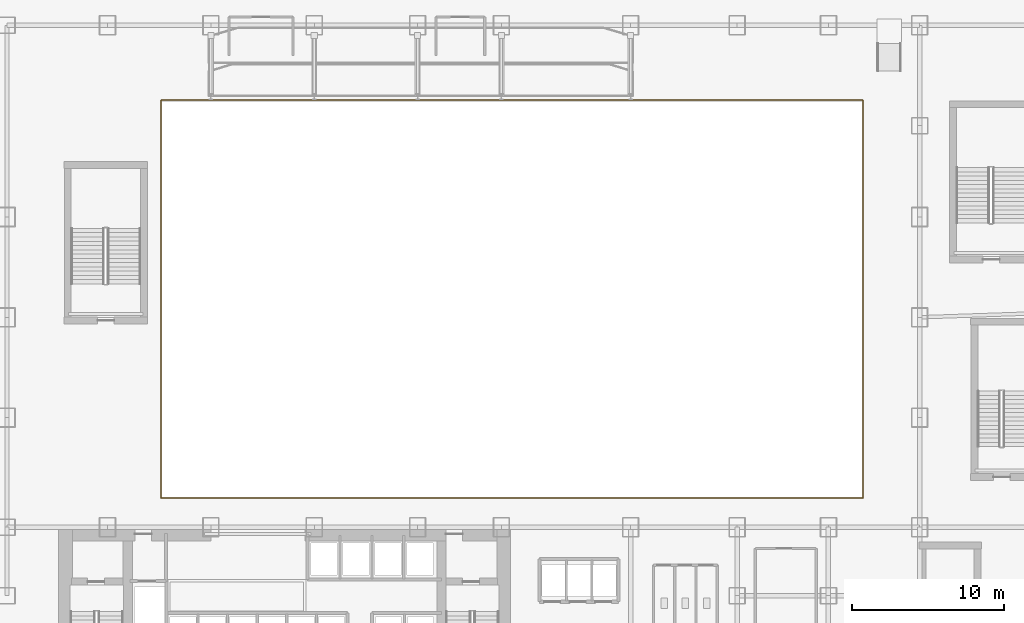
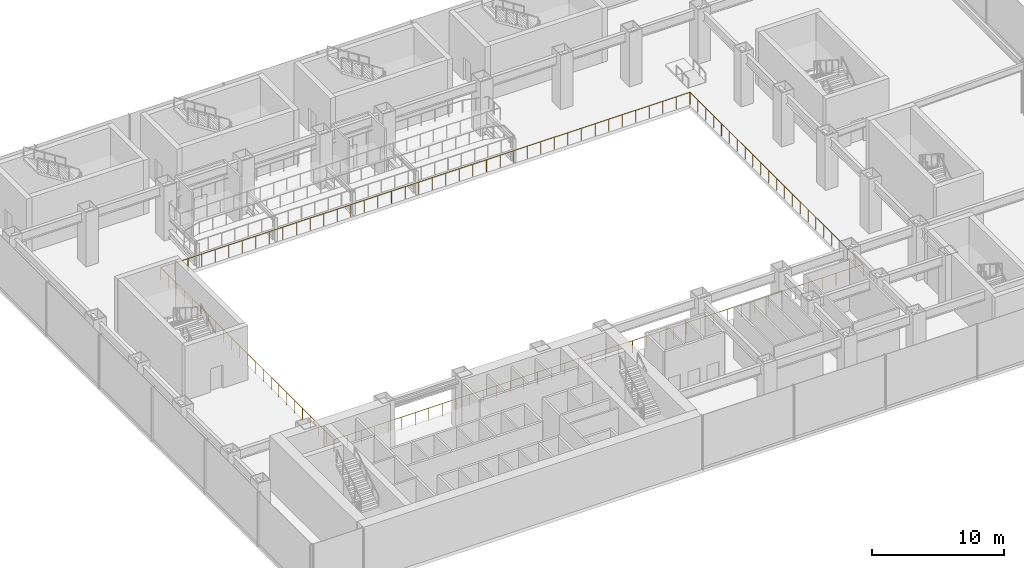
# One storey, part 34 of 39: 1 railing.
"""IFC4 building model written with IfcOpenShell, lengths in metres."""

from ifc_helpers import new_model, si_unit, derived_unit, direction, frame, origin, origin_2d, place, context, subcontext, project, spatial, circle, extrude, material, type_object, element, save


model = new_model("IFC4")

# Units and contexts
model_context = context("Model", 3, precision=1e-05, world=origin(), true_north=direction((0.0, 1.0)))
body_context = subcontext(model_context, "Body", "Model", "MODEL_VIEW")
ifc_project = project(units=[si_unit("LENGTHUNIT", "METRE"), si_unit("AREAUNIT", "SQUARE_METRE"), si_unit("VOLUMEUNIT", "CUBIC_METRE"), si_unit("PLANEANGLEUNIT", "RADIAN"), si_unit("MASSUNIT", "GRAM", prefix="KILO"), derived_unit("THERMALTRANSMITTANCEUNIT", [(si_unit("POWERUNIT", "WATT"), 1), (si_unit("LENGTHUNIT", "METRE"), -2), (si_unit("THERMODYNAMICTEMPERATUREUNIT", "KELVIN"), -1)])], contexts=[model_context])

# Site, building, storey
site_placement = place(None, origin())
site = spatial("IfcSite", under=ifc_project, at=site_placement, CompositionType="ELEMENT")
building_placement = place(site_placement, origin())
building = spatial("IfcBuilding", under=site, at=building_placement, Name="Skarnbrae Concourse Arena and Tower", CompositionType="ELEMENT")
storey_placement = place(building_placement, frame((0.0, 0.0, 16.0)))
storey = spatial("IfcBuildingStorey", under=building, at=storey_placement, Name="L03", CompositionType="ELEMENT", Elevation=16.0)

# Railing
ifc_material = material(Name="Steel CSA G40.21 350W", Category="steel")
railing_type = type_object("IfcRailingType", Name="RAIL-GUARD-1150", PredefinedType="GUARDRAIL", material=ifc_material)
railing_placement = place(storey_placement, frame((11.1201171875, 15.919921875, 0.0)))
element("IfcRailing", 1, at=railing_placement, inside=storey, type_object=railing_type, Name="L03 Arena bowl concourse overlook guardrail", PredefinedType="GUARDRAIL", context=body_context, shape_type="SweptSolid", body=[
    extrude(circle(Radius=0.02392578125, at=origin_2d()), frame((0.0, 0.0, 1.1259765625), z_axis=(1.0, 0.0, 0.0), x_axis=(0.0, 1.0, 0.0)), (0.0, 0.0, 1.0), 46.159912109375),
    extrude(circle(Radius=0.02392578125, at=origin_2d()), frame((46.159912109375, 0.0, 1.1259765625), z_axis=(0.0, 1.0, 0.0), x_axis=(-1.0, 0.0, 0.0)), (0.0, 0.0, 1.0), 26.16015625),
    extrude(circle(Radius=0.02392578125, at=origin_2d()), frame((46.159912109375, 26.16015625, 1.1259765625), z_axis=(-1.0, 0.0, 0.0), x_axis=(0.0, -1.0, 0.0)), (0.0, 0.0, 1.0), 46.159912109375),
    extrude(circle(Radius=0.02392578125, at=origin_2d()), frame((0.0, 26.16015625, 1.1259765625), z_axis=(0.0, -1.0, 0.0), x_axis=(1.0, 0.0, 0.0)), (0.0, 0.0, 1.0), 26.16015625),
    extrude(circle(Radius=0.02099609375, at=origin_2d()), origin(), (0.0, 0.0, 1.0), 1.101806640625),
    extrude(circle(Radius=0.02099609375, at=origin_2d()), frame((1.18359375, 0.0, 0.0)), (0.0, 0.0, 1.0), 1.101806640625),
    extrude(circle(Radius=0.02099609375, at=origin_2d()), frame((2.3671875, 0.0, 0.0)), (0.0, 0.0, 1.0), 1.101806640625),
    extrude(circle(Radius=0.02099609375, at=origin_2d()), frame((3.55078125, 0.0, 0.0)), (0.0, 0.0, 1.0), 1.101806640625),
    extrude(circle(Radius=0.02099609375, at=origin_2d()), frame((4.734375, 0.0, 0.0)), (0.0, 0.0, 1.0), 1.101806640625),
    extrude(circle(Radius=0.02099609375, at=origin_2d()), frame((5.91796875, 0.0, 0.0)), (0.0, 0.0, 1.0), 1.101806640625),
    extrude(circle(Radius=0.02099609375, at=origin_2d()), frame((7.1015625, 0.0, 0.0)), (0.0, 0.0, 1.0), 1.101806640625),
    extrude(circle(Radius=0.02099609375, at=origin_2d()), frame((8.28515625, 0.0, 0.0)), (0.0, 0.0, 1.0), 1.101806640625),
    extrude(circle(Radius=0.02099609375, at=origin_2d()), frame((9.46875, 0.0, 0.0)), (0.0, 0.0, 1.0), 1.101806640625),
    extrude(circle(Radius=0.02099609375, at=origin_2d()), frame((10.65234375, 0.0, 0.0)), (0.0, 0.0, 1.0), 1.101806640625),
    extrude(circle(Radius=0.02099609375, at=origin_2d()), frame((11.8359375, 0.0, 0.0)), (0.0, 0.0, 1.0), 1.101806640625),
    extrude(circle(Radius=0.02099609375, at=origin_2d()), frame((13.01953125, 0.0, 0.0)), (0.0, 0.0, 1.0), 1.101806640625),
    extrude(circle(Radius=0.02099609375, at=origin_2d()), frame((14.203125, 0.0, 0.0)), (0.0, 0.0, 1.0), 1.101806640625),
    extrude(circle(Radius=0.02099609375, at=origin_2d()), frame((15.38671875, 0.0, 0.0)), (0.0, 0.0, 1.0), 1.101806640625),
    extrude(circle(Radius=0.02099609375, at=origin_2d()), frame((16.5703125, 0.0, 0.0)), (0.0, 0.0, 1.0), 1.101806640625),
    extrude(circle(Radius=0.02099609375, at=origin_2d()), frame((17.75390625, 0.0, 0.0)), (0.0, 0.0, 1.0), 1.101806640625),
    extrude(circle(Radius=0.02099609375, at=origin_2d()), frame((18.9375, 0.0, 0.0)), (0.0, 0.0, 1.0), 1.101806640625),
    extrude(circle(Radius=0.02099609375, at=origin_2d()), frame((20.12109375, 0.0, 0.0)), (0.0, 0.0, 1.0), 1.101806640625),
    extrude(circle(Radius=0.02099609375, at=origin_2d()), frame((21.3046875, 0.0, 0.0)), (0.0, 0.0, 1.0), 1.101806640625),
    extrude(circle(Radius=0.02099609375, at=origin_2d()), frame((22.48828125, 0.0, 0.0)), (0.0, 0.0, 1.0), 1.101806640625),
    extrude(circle(Radius=0.02099609375, at=origin_2d()), frame((23.671630859375, 0.0, 0.0)), (0.0, 0.0, 1.0), 1.101806640625),
    extrude(circle(Radius=0.02099609375, at=origin_2d()), frame((24.855224609375, 0.0, 0.0)), (0.0, 0.0, 1.0), 1.101806640625),
    extrude(circle(Radius=0.02099609375, at=origin_2d()), frame((26.038818359375, 0.0, 0.0)), (0.0, 0.0, 1.0), 1.101806640625),
    extrude(circle(Radius=0.02099609375, at=origin_2d()), frame((27.222412109375, 0.0, 0.0)), (0.0, 0.0, 1.0), 1.101806640625),
    extrude(circle(Radius=0.02099609375, at=origin_2d()), frame((28.406005859375, 0.0, 0.0)), (0.0, 0.0, 1.0), 1.101806640625),
    extrude(circle(Radius=0.02099609375, at=origin_2d()), frame((29.589599609375, 0.0, 0.0)), (0.0, 0.0, 1.0), 1.101806640625),
    extrude(circle(Radius=0.02099609375, at=origin_2d()), frame((30.773193359375, 0.0, 0.0)), (0.0, 0.0, 1.0), 1.101806640625),
    extrude(circle(Radius=0.02099609375, at=origin_2d()), frame((31.956787109375, 0.0, 0.0)), (0.0, 0.0, 1.0), 1.101806640625),
    extrude(circle(Radius=0.02099609375, at=origin_2d()), frame((33.140380859375, 0.0, 0.0)), (0.0, 0.0, 1.0), 1.101806640625),
    extrude(circle(Radius=0.02099609375, at=origin_2d()), frame((34.323974609375, 0.0, 0.0)), (0.0, 0.0, 1.0), 1.101806640625),
    extrude(circle(Radius=0.02099609375, at=origin_2d()), frame((35.507568359375, 0.0, 0.0)), (0.0, 0.0, 1.0), 1.101806640625),
    extrude(circle(Radius=0.02099609375, at=origin_2d()), frame((36.691162109375, 0.0, 0.0)), (0.0, 0.0, 1.0), 1.101806640625),
    extrude(circle(Radius=0.02099609375, at=origin_2d()), frame((37.874755859375, 0.0, 0.0)), (0.0, 0.0, 1.0), 1.101806640625),
    extrude(circle(Radius=0.02099609375, at=origin_2d()), frame((39.058349609375, 0.0, 0.0)), (0.0, 0.0, 1.0), 1.101806640625),
    extrude(circle(Radius=0.02099609375, at=origin_2d()), frame((40.241943359375, 0.0, 0.0)), (0.0, 0.0, 1.0), 1.101806640625),
    extrude(circle(Radius=0.02099609375, at=origin_2d()), frame((41.425537109375, 0.0, 0.0)), (0.0, 0.0, 1.0), 1.101806640625),
    extrude(circle(Radius=0.02099609375, at=origin_2d()), frame((42.609130859375, 0.0, 0.0)), (0.0, 0.0, 1.0), 1.101806640625),
    extrude(circle(Radius=0.02099609375, at=origin_2d()), frame((43.792724609375, 0.0, 0.0)), (0.0, 0.0, 1.0), 1.101806640625),
    extrude(circle(Radius=0.02099609375, at=origin_2d()), frame((44.976318359375, 0.0, 0.0)), (0.0, 0.0, 1.0), 1.101806640625),
    extrude(circle(Radius=0.02099609375, at=origin_2d()), frame((46.159912109375, 0.0, 0.0)), (0.0, 0.0, 1.0), 1.101806640625),
    extrude(circle(Radius=0.02099609375, at=origin_2d()), frame((46.159912109375, 1.189208984375, 0.0)), (0.0, 0.0, 1.0), 1.101806640625),
    extrude(circle(Radius=0.02099609375, at=origin_2d()), frame((46.159912109375, 2.378173828125, 0.0)), (0.0, 0.0, 1.0), 1.101806640625),
    extrude(circle(Radius=0.02099609375, at=origin_2d()), frame((46.159912109375, 3.5673828125, 0.0)), (0.0, 0.0, 1.0), 1.101806640625),
    extrude(circle(Radius=0.02099609375, at=origin_2d()), frame((46.159912109375, 4.75634765625, 0.0)), (0.0, 0.0, 1.0), 1.101806640625),
    extrude(circle(Radius=0.02099609375, at=origin_2d()), frame((46.159912109375, 5.945556640625, 0.0)), (0.0, 0.0, 1.0), 1.101806640625),
    extrude(circle(Radius=0.02099609375, at=origin_2d()), frame((46.159912109375, 7.134521484375, 0.0)), (0.0, 0.0, 1.0), 1.101806640625),
    extrude(circle(Radius=0.02099609375, at=origin_2d()), frame((46.159912109375, 8.32373046875, 0.0)), (0.0, 0.0, 1.0), 1.101806640625),
    extrude(circle(Radius=0.02099609375, at=origin_2d()), frame((46.159912109375, 9.5126953125, 0.0)), (0.0, 0.0, 1.0), 1.101806640625),
    extrude(circle(Radius=0.02099609375, at=origin_2d()), frame((46.159912109375, 10.701904296875, 0.0)), (0.0, 0.0, 1.0), 1.101806640625),
    extrude(circle(Radius=0.02099609375, at=origin_2d()), frame((46.159912109375, 11.890869140625, 0.0)), (0.0, 0.0, 1.0), 1.101806640625),
    extrude(circle(Radius=0.02099609375, at=origin_2d()), frame((46.159912109375, 13.080078125, 0.0)), (0.0, 0.0, 1.0), 1.101806640625),
    extrude(circle(Radius=0.02099609375, at=origin_2d()), frame((46.159912109375, 14.269287109375, 0.0)), (0.0, 0.0, 1.0), 1.101806640625),
    extrude(circle(Radius=0.02099609375, at=origin_2d()), frame((46.159912109375, 15.458251953125, 0.0)), (0.0, 0.0, 1.0), 1.101806640625),
    extrude(circle(Radius=0.02099609375, at=origin_2d()), frame((46.159912109375, 16.6474609375, 0.0)), (0.0, 0.0, 1.0), 1.101806640625),
    extrude(circle(Radius=0.02099609375, at=origin_2d()), frame((46.159912109375, 17.83642578125, 0.0)), (0.0, 0.0, 1.0), 1.101806640625),
    extrude(circle(Radius=0.02099609375, at=origin_2d()), frame((46.159912109375, 19.025634765625, 0.0)), (0.0, 0.0, 1.0), 1.101806640625),
    extrude(circle(Radius=0.02099609375, at=origin_2d()), frame((46.159912109375, 20.214599609375, 0.0)), (0.0, 0.0, 1.0), 1.101806640625),
    extrude(circle(Radius=0.02099609375, at=origin_2d()), frame((46.159912109375, 21.40380859375, 0.0)), (0.0, 0.0, 1.0), 1.101806640625),
    extrude(circle(Radius=0.02099609375, at=origin_2d()), frame((46.159912109375, 22.5927734375, 0.0)), (0.0, 0.0, 1.0), 1.101806640625),
    extrude(circle(Radius=0.02099609375, at=origin_2d()), frame((46.159912109375, 23.781982421875, 0.0)), (0.0, 0.0, 1.0), 1.101806640625),
    extrude(circle(Radius=0.02099609375, at=origin_2d()), frame((46.159912109375, 24.970947265625, 0.0)), (0.0, 0.0, 1.0), 1.101806640625),
    extrude(circle(Radius=0.02099609375, at=origin_2d()), frame((46.159912109375, 26.16015625, 0.0)), (0.0, 0.0, 1.0), 1.101806640625),
    extrude(circle(Radius=0.02099609375, at=origin_2d()), frame((44.976318359375, 26.16015625, 0.0)), (0.0, 0.0, 1.0), 1.101806640625),
    extrude(circle(Radius=0.02099609375, at=origin_2d()), frame((43.792724609375, 26.16015625, 0.0)), (0.0, 0.0, 1.0), 1.101806640625),
    extrude(circle(Radius=0.02099609375, at=origin_2d()), frame((42.609130859375, 26.16015625, 0.0)), (0.0, 0.0, 1.0), 1.101806640625),
    extrude(circle(Radius=0.02099609375, at=origin_2d()), frame((41.425537109375, 26.16015625, 0.0)), (0.0, 0.0, 1.0), 1.101806640625),
    extrude(circle(Radius=0.02099609375, at=origin_2d()), frame((40.241943359375, 26.16015625, 0.0)), (0.0, 0.0, 1.0), 1.101806640625),
    extrude(circle(Radius=0.02099609375, at=origin_2d()), frame((39.058349609375, 26.16015625, 0.0)), (0.0, 0.0, 1.0), 1.101806640625),
    extrude(circle(Radius=0.02099609375, at=origin_2d()), frame((37.874755859375, 26.16015625, 0.0)), (0.0, 0.0, 1.0), 1.101806640625),
    extrude(circle(Radius=0.02099609375, at=origin_2d()), frame((36.691162109375, 26.16015625, 0.0)), (0.0, 0.0, 1.0), 1.101806640625),
    extrude(circle(Radius=0.02099609375, at=origin_2d()), frame((35.507568359375, 26.16015625, 0.0)), (0.0, 0.0, 1.0), 1.101806640625),
    extrude(circle(Radius=0.02099609375, at=origin_2d()), frame((34.323974609375, 26.16015625, 0.0)), (0.0, 0.0, 1.0), 1.101806640625),
    extrude(circle(Radius=0.02099609375, at=origin_2d()), frame((33.140380859375, 26.16015625, 0.0)), (0.0, 0.0, 1.0), 1.101806640625),
    extrude(circle(Radius=0.02099609375, at=origin_2d()), frame((31.956787109375, 26.16015625, 0.0)), (0.0, 0.0, 1.0), 1.101806640625),
    extrude(circle(Radius=0.02099609375, at=origin_2d()), frame((30.773193359375, 26.16015625, 0.0)), (0.0, 0.0, 1.0), 1.101806640625),
    extrude(circle(Radius=0.02099609375, at=origin_2d()), frame((29.589599609375, 26.16015625, 0.0)), (0.0, 0.0, 1.0), 1.101806640625),
    extrude(circle(Radius=0.02099609375, at=origin_2d()), frame((28.406005859375, 26.16015625, 0.0)), (0.0, 0.0, 1.0), 1.101806640625),
    extrude(circle(Radius=0.02099609375, at=origin_2d()), frame((27.222412109375, 26.16015625, 0.0)), (0.0, 0.0, 1.0), 1.101806640625),
    extrude(circle(Radius=0.02099609375, at=origin_2d()), frame((26.038818359375, 26.16015625, 0.0)), (0.0, 0.0, 1.0), 1.101806640625),
    extrude(circle(Radius=0.02099609375, at=origin_2d()), frame((24.855224609375, 26.16015625, 0.0)), (0.0, 0.0, 1.0), 1.101806640625),
    extrude(circle(Radius=0.02099609375, at=origin_2d()), frame((23.671630859375, 26.16015625, 0.0)), (0.0, 0.0, 1.0), 1.101806640625),
    extrude(circle(Radius=0.02099609375, at=origin_2d()), frame((22.48828125, 26.16015625, 0.0)), (0.0, 0.0, 1.0), 1.101806640625),
    extrude(circle(Radius=0.02099609375, at=origin_2d()), frame((21.3046875, 26.16015625, 0.0)), (0.0, 0.0, 1.0), 1.101806640625),
    extrude(circle(Radius=0.02099609375, at=origin_2d()), frame((20.12109375, 26.16015625, 0.0)), (0.0, 0.0, 1.0), 1.101806640625),
    extrude(circle(Radius=0.02099609375, at=origin_2d()), frame((18.9375, 26.16015625, 0.0)), (0.0, 0.0, 1.0), 1.101806640625),
    extrude(circle(Radius=0.02099609375, at=origin_2d()), frame((17.75390625, 26.16015625, 0.0)), (0.0, 0.0, 1.0), 1.101806640625),
    extrude(circle(Radius=0.02099609375, at=origin_2d()), frame((16.5703125, 26.16015625, 0.0)), (0.0, 0.0, 1.0), 1.101806640625),
    extrude(circle(Radius=0.02099609375, at=origin_2d()), frame((15.38671875, 26.16015625, 0.0)), (0.0, 0.0, 1.0), 1.101806640625),
    extrude(circle(Radius=0.02099609375, at=origin_2d()), frame((14.203125, 26.16015625, 0.0)), (0.0, 0.0, 1.0), 1.101806640625),
    extrude(circle(Radius=0.02099609375, at=origin_2d()), frame((13.01953125, 26.16015625, 0.0)), (0.0, 0.0, 1.0), 1.101806640625),
    extrude(circle(Radius=0.02099609375, at=origin_2d()), frame((11.8359375, 26.16015625, 0.0)), (0.0, 0.0, 1.0), 1.101806640625),
    extrude(circle(Radius=0.02099609375, at=origin_2d()), frame((10.65234375, 26.16015625, 0.0)), (0.0, 0.0, 1.0), 1.101806640625),
    extrude(circle(Radius=0.02099609375, at=origin_2d()), frame((9.46875, 26.16015625, 0.0)), (0.0, 0.0, 1.0), 1.101806640625),
    extrude(circle(Radius=0.02099609375, at=origin_2d()), frame((8.28515625, 26.16015625, 0.0)), (0.0, 0.0, 1.0), 1.101806640625),
    extrude(circle(Radius=0.02099609375, at=origin_2d()), frame((7.1015625, 26.16015625, 0.0)), (0.0, 0.0, 1.0), 1.101806640625),
    extrude(circle(Radius=0.02099609375, at=origin_2d()), frame((5.91796875, 26.16015625, 0.0)), (0.0, 0.0, 1.0), 1.101806640625),
    extrude(circle(Radius=0.02099609375, at=origin_2d()), frame((4.734375, 26.16015625, 0.0)), (0.0, 0.0, 1.0), 1.101806640625),
    extrude(circle(Radius=0.02099609375, at=origin_2d()), frame((3.55078125, 26.16015625, 0.0)), (0.0, 0.0, 1.0), 1.101806640625),
    extrude(circle(Radius=0.02099609375, at=origin_2d()), frame((2.3671875, 26.16015625, 0.0)), (0.0, 0.0, 1.0), 1.101806640625),
    extrude(circle(Radius=0.02099609375, at=origin_2d()), frame((1.18359375, 26.16015625, 0.0)), (0.0, 0.0, 1.0), 1.101806640625),
    extrude(circle(Radius=0.02099609375, at=origin_2d()), frame((0.0, 26.16015625, 0.0)), (0.0, 0.0, 1.0), 1.101806640625),
    extrude(circle(Radius=0.02099609375, at=origin_2d()), frame((0.0, 24.970947265625, 0.0)), (0.0, 0.0, 1.0), 1.101806640625),
    extrude(circle(Radius=0.02099609375, at=origin_2d()), frame((0.0, 23.781982421875, 0.0)), (0.0, 0.0, 1.0), 1.101806640625),
    extrude(circle(Radius=0.02099609375, at=origin_2d()), frame((0.0, 22.5927734375, 0.0)), (0.0, 0.0, 1.0), 1.101806640625),
    extrude(circle(Radius=0.02099609375, at=origin_2d()), frame((0.0, 21.40380859375, 0.0)), (0.0, 0.0, 1.0), 1.101806640625),
    extrude(circle(Radius=0.02099609375, at=origin_2d()), frame((0.0, 20.214599609375, 0.0)), (0.0, 0.0, 1.0), 1.101806640625),
    extrude(circle(Radius=0.02099609375, at=origin_2d()), frame((0.0, 19.025634765625, 0.0)), (0.0, 0.0, 1.0), 1.101806640625),
    extrude(circle(Radius=0.02099609375, at=origin_2d()), frame((0.0, 17.83642578125, 0.0)), (0.0, 0.0, 1.0), 1.101806640625),
    extrude(circle(Radius=0.02099609375, at=origin_2d()), frame((0.0, 16.6474609375, 0.0)), (0.0, 0.0, 1.0), 1.101806640625),
    extrude(circle(Radius=0.02099609375, at=origin_2d()), frame((0.0, 15.458251953125, 0.0)), (0.0, 0.0, 1.0), 1.101806640625),
    extrude(circle(Radius=0.02099609375, at=origin_2d()), frame((0.0, 14.269287109375, 0.0)), (0.0, 0.0, 1.0), 1.101806640625),
    extrude(circle(Radius=0.02099609375, at=origin_2d()), frame((0.0, 13.080078125, 0.0)), (0.0, 0.0, 1.0), 1.101806640625),
    extrude(circle(Radius=0.02099609375, at=origin_2d()), frame((0.0, 11.890869140625, 0.0)), (0.0, 0.0, 1.0), 1.101806640625),
    extrude(circle(Radius=0.02099609375, at=origin_2d()), frame((0.0, 10.701904296875, 0.0)), (0.0, 0.0, 1.0), 1.101806640625),
    extrude(circle(Radius=0.02099609375, at=origin_2d()), frame((0.0, 9.5126953125, 0.0)), (0.0, 0.0, 1.0), 1.101806640625),
    extrude(circle(Radius=0.02099609375, at=origin_2d()), frame((0.0, 8.32373046875, 0.0)), (0.0, 0.0, 1.0), 1.101806640625),
    extrude(circle(Radius=0.02099609375, at=origin_2d()), frame((0.0, 7.134521484375, 0.0)), (0.0, 0.0, 1.0), 1.101806640625),
    extrude(circle(Radius=0.02099609375, at=origin_2d()), frame((0.0, 5.945556640625, 0.0)), (0.0, 0.0, 1.0), 1.101806640625),
    extrude(circle(Radius=0.02099609375, at=origin_2d()), frame((0.0, 4.75634765625, 0.0)), (0.0, 0.0, 1.0), 1.101806640625),
    extrude(circle(Radius=0.02099609375, at=origin_2d()), frame((0.0, 3.5673828125, 0.0)), (0.0, 0.0, 1.0), 1.101806640625),
    extrude(circle(Radius=0.02099609375, at=origin_2d()), frame((0.0, 2.378173828125, 0.0)), (0.0, 0.0, 1.0), 1.101806640625),
    extrude(circle(Radius=0.02099609375, at=origin_2d()), frame((0.0, 1.189208984375, 0.0)), (0.0, 0.0, 1.0), 1.101806640625),
])

save(model, "model.ifc")
